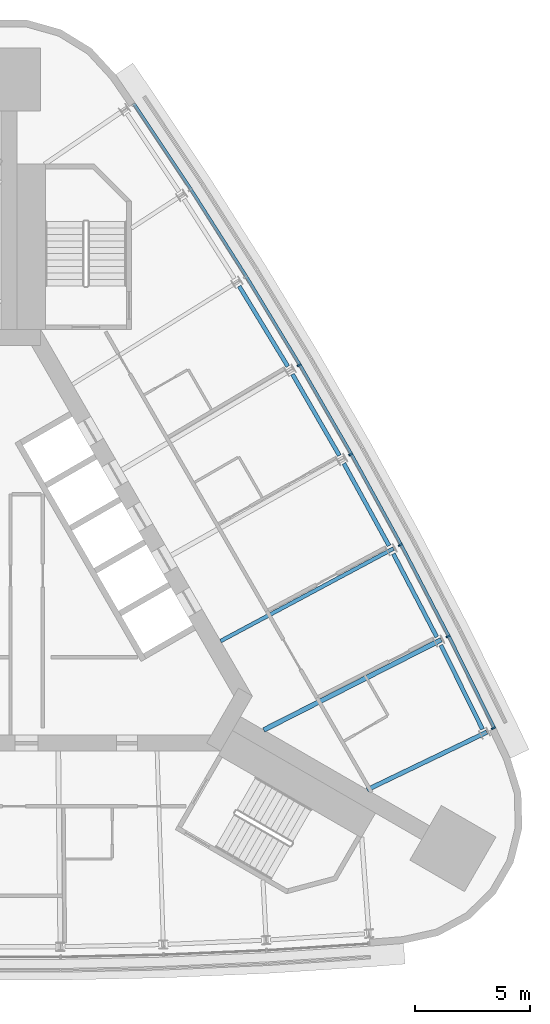
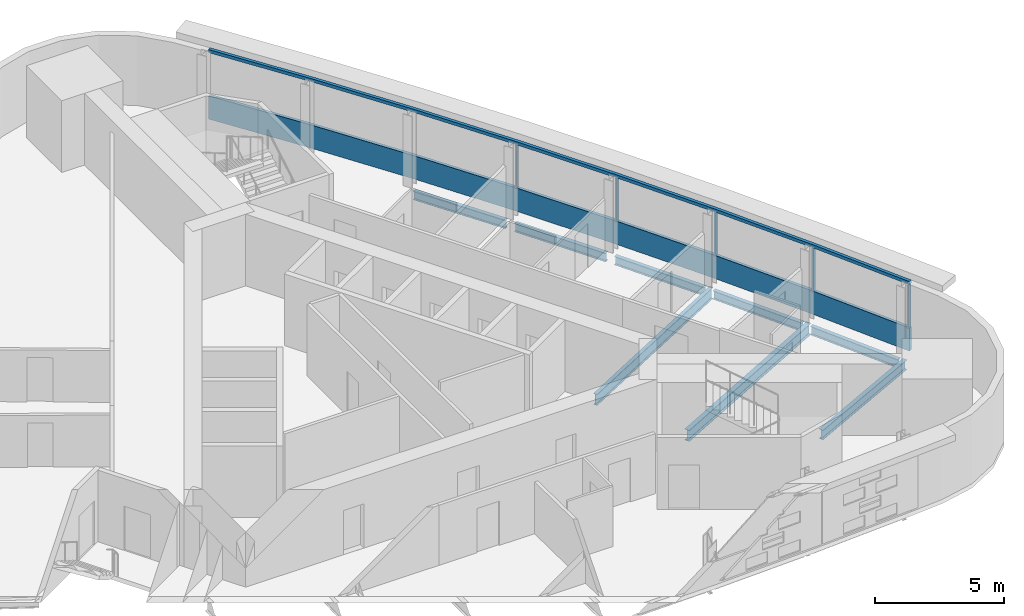
# One storey, part 5 of 12: 8 beams, 7 members, 1 element without a shape of its own.
"""IFC4 building model written with IfcOpenShell, lengths in metres."""

from ifc_helpers import new_model, si_unit, direction, frame, origin, origin_2d, place, context, subcontext, project, spatial, polyline, rectangle, i_section, outline, extrude, material, material_profile, profile_set, type_object, element, aggregate, save


model = new_model("IFC4")

# Units and contexts
model_context = context("Model", 3, precision=1e-05, world=origin(), true_north=direction((0.0, 1.0)))
body_context = subcontext(model_context, "Body", "Model", "MODEL_VIEW")
ifc_project = project(units=[si_unit("LENGTHUNIT", "METRE"), si_unit("AREAUNIT", "SQUARE_METRE"), si_unit("VOLUMEUNIT", "CUBIC_METRE"), si_unit("PLANEANGLEUNIT", "RADIAN"), si_unit("MASSUNIT", "GRAM", prefix="KILO")], contexts=[model_context])

# Site, building, storey
site_placement = place(None, origin())
site = spatial("IfcSite", under=ifc_project, at=site_placement, CompositionType="ELEMENT")
building_placement = place(site_placement, origin())
building = spatial("IfcBuilding", under=site, at=building_placement, Name="Noor Cloister Tower", CompositionType="ELEMENT")
storey_placement = place(building_placement, frame((0.0, 0.0, 188.699951171875)))
storey = spatial("IfcBuildingStorey", under=building, at=storey_placement, Name="L48", CompositionType="ELEMENT", Elevation=188.699951171875)

# Curtain wall, members
ifc_material_1 = material(Name="Aluminium 6063-T6 anodised", Category="aluminium")
curtain_wall_type = type_object("IfcCurtainWallType", Name="Ribbon curtain wall, upper tower CW5", PredefinedType="NOTDEFINED", material=ifc_material_1)
curtain_wall_placement = place(storey_placement, origin())
curtain_wall = element("IfcCurtainWall", 1, at=curtain_wall_placement, inside=storey, type_object=curtain_wall_type, Name="CW5 L48 NE run 3", PredefinedType="NOTDEFINED")
ifc_material_2 = material(Name="Aluminium 6063-T6 anodised", Category="aluminium")
member_type_1 = type_object("IfcMemberType", Name="Head transom CW5 150", PredefinedType="USERDEFINED", material=ifc_material_2)
member_1_placement = place(storey_placement, frame((0.0, 0.0, 3.150146484375)))
member_1 = element("IfcMember", 2, at=member_1_placement, type_object=member_type_1, Name="CW5 head transom", ObjectType="TRANSOM", PredefinedType="USERDEFINED", context=body_context, shape_type="SweptSolid", body=[
    extrude(outline(polyline([(21.2294921875, -5.91259765625), (19.234375, -1.879150390625), (17.1533203125, 2.110595703125), (14.9873046875, 6.054931640625), (12.7373046875, 9.951904296875), (10.404541015625, 13.7998046875), (7.98974609375, 17.59716796875), (5.494384765625, 21.341552734375), (5.3779296875, 21.263916015625), (7.872314453125, 17.520751953125), (10.285400390625, 13.72607421875), (12.61669921875, 9.880615234375), (14.865234375, 5.986083984375), (17.02978515625, 2.04443359375), (19.109619140625, -1.942626953125), (21.10400390625, -5.974609375), (21.2294921875, -5.91259765625)])), origin(), (0.0, 0.0, 1.0), 0.14990234375),
])
ifc_material_3 = material(Name="Aluminium 6063-T6 anodised", Category="aluminium")
ifc_material_profile_1 = material_profile(ifc_material_3, rectangle(XDim=0.179931640625, YDim=0.070068359375, at=origin_2d()), Name="180 x 70 mullion")
ifc_profile_set_1 = profile_set([ifc_material_profile_1], Name="Aluminium 6063-T6 anodised")
member_type_2 = type_object("IfcMemberType", Name="Mullion CW5 70 x 180", PredefinedType="MULLION", material=ifc_profile_set_1)
member_2_placement = place(storey_placement, frame((21.12451171875, -5.925537109375, 1.10009765625), z_axis=(0.0, 0.0, 1.0), x_axis=(-0.896329965837, -0.443387632149, 0.0)))
member_2 = element("IfcMember", 3, at=member_2_placement, type_object=member_type_2, Name="CW5 mullion 1", PredefinedType="MULLION", context=body_context, shape_type="SweptSolid", body=[
    extrude(rectangle(XDim=0.179931640625, YDim=0.070068359375, at=origin_2d()), origin(), (0.0, 0.0, 1.0), 2.050048828125),
])
member_3_placement = place(storey_placement, frame((19.145263671875, -1.924560546875, 1.10009765625), z_axis=(0.0, 0.0, 1.0), x_axis=(-0.891532671341, -0.452956395178, 0.0)))
member_3 = element("IfcMember", 4, at=member_3_placement, type_object=member_type_2, Name="CW5 mullion 2", PredefinedType="MULLION", context=body_context, shape_type="SweptSolid", body=[
    extrude(rectangle(XDim=0.179931640625, YDim=0.070068359375, at=origin_2d()), origin(), (0.0, 0.0, 1.0), 2.050048828125),
])
member_4_placement = place(storey_placement, frame((17.065185546875, 2.0634765625, 1.10009765625), z_axis=(0.0, 0.0, 1.0), x_axis=(-0.881632209176, -0.471937122659, 0.0)))
member_4 = element("IfcMember", 5, at=member_4_placement, type_object=member_type_2, Name="CW5 mullion 3", PredefinedType="MULLION", context=body_context, shape_type="SweptSolid", body=[
    extrude(rectangle(XDim=0.179931640625, YDim=0.070068359375, at=origin_2d()), origin(), (0.0, 0.0, 1.0), 2.050048828125),
])
member_5_placement = place(storey_placement, frame((14.900146484375, 6.005859375, 1.10009765625), z_axis=(0.0, 0.0, 1.0), x_axis=(-0.871327706284, -0.490701567413, 0.0)))
member_5 = element("IfcMember", 6, at=member_5_placement, type_object=member_type_2, Name="CW5 mullion 4", PredefinedType="MULLION", context=body_context, shape_type="SweptSolid", body=[
    extrude(rectangle(XDim=0.179931640625, YDim=0.070068359375, at=origin_2d()), origin(), (0.0, 0.0, 1.0), 2.050048828125),
])
member_6_placement = place(storey_placement, frame((12.651123046875, 9.90087890625, 1.10009765625), z_axis=(0.0, 0.0, 1.0), x_axis=(-0.860623876199, -0.509241144957, 0.0)))
member_6 = element("IfcMember", 7, at=member_6_placement, type_object=member_type_2, Name="CW5 mullion 5", PredefinedType="MULLION", context=body_context, shape_type="SweptSolid", body=[
    extrude(rectangle(XDim=0.179931640625, YDim=0.070068359375, at=origin_2d()), origin(), (0.0, 0.0, 1.0), 2.050048828125),
])

# Beams
ifc_material_4 = material(Name="Steel ASTM A992 Gr 50", Category="steel")
ifc_material_profile_2 = material_profile(ifc_material_4, i_section(OverallWidth=0.19091796875, OverallDepth=0.45703125, WebThickness=0.009033203125, FlangeThickness=0.014404296875, FilletRadius=0.01025390625, at=origin_2d()), Name="W460x74")
ifc_profile_set_2 = profile_set([ifc_material_profile_2], Name="Steel ASTM A992 Gr 50")
beam_type_1 = type_object("IfcBeamType", Name="Radial beam W460x74", PredefinedType="BEAM", material=ifc_profile_set_2)
beam_1_placement = place(storey_placement, frame((20.8349609375, -6.1025390625, -0.428466796875), z_axis=(-0.901024258872, -0.433768699798, 0.0), x_axis=(0.433768699798, -0.901024258872, 0.0)))
element("IfcBeam", 8, at=beam_1_placement, inside=storey, type_object=beam_type_1, Name="Radial beam NE 01 L48", PredefinedType="BEAM", context=body_context, shape_type="SweptSolid", body=[
    extrude(i_section(OverallWidth=0.19091796875, OverallDepth=0.45703125, WebThickness=0.009033203125, FlangeThickness=0.014404296875, FilletRadius=0.01025390625, at=origin_2d()), origin(), (0.0, 0.0, 1.0), 5.788818359375),
])
ifc_material_5 = material(Name="Steel ASTM A992 Gr 50", Category="steel")
ifc_material_profile_3 = material_profile(ifc_material_5, i_section(OverallWidth=0.166015625, OverallDepth=0.528076171875, WebThickness=0.009765625, FlangeThickness=0.013671875, FilletRadius=0.0126953125, at=origin_2d()), Name="W530x74")
ifc_profile_set_3 = profile_set([ifc_material_profile_3], Name="Steel ASTM A992 Gr 50")
beam_type_2 = type_object("IfcBeamType", Name="Radial beam W530x74", PredefinedType="BEAM", material=ifc_profile_set_3)
beam_2_placement = place(storey_placement, frame((16.76708984375, 1.90380859375, -0.4638671875), z_axis=(-0.88163488664, -0.471932120817, 0.0), x_axis=(0.471932120817, -0.88163488664, 0.0)))
element("IfcBeam", 9, at=beam_2_placement, inside=storey, type_object=beam_type_2, Name="Radial beam NE 03 L48", PredefinedType="BEAM", context=body_context, shape_type="SweptSolid", body=[
    extrude(i_section(OverallWidth=0.166015625, OverallDepth=0.528076171875, WebThickness=0.009765625, FlangeThickness=0.013671875, FilletRadius=0.0126953125, at=origin_2d()), origin(), (0.0, 0.0, 1.0), 8.548828125),
])
ifc_material_6 = material(Name="Steel ASTM A992 Gr 50", Category="steel")
ifc_material_profile_4 = material_profile(ifc_material_6, i_section(OverallWidth=0.208984375, OverallDepth=0.532958984375, WebThickness=0.01025390625, FlangeThickness=0.015625, FilletRadius=0.0126953125, at=origin_2d()), Name="W530x92")
ifc_profile_set_4 = profile_set([ifc_material_profile_4], Name="Steel ASTM A992 Gr 50")
beam_type_3 = type_object("IfcBeamType", Name="Radial beam W530x92", PredefinedType="BEAM", material=ifc_profile_set_4)
beam_3_placement = place(storey_placement, frame((18.843994140625, -2.07763671875, -0.466552734375), z_axis=(-0.891533608918, -0.452954549784, 0.0), x_axis=(0.452954549784, -0.891533608918, 0.0)))
element("IfcBeam", 10, at=beam_3_placement, inside=storey, type_object=beam_type_3, Name="Radial beam NE 02 L48", PredefinedType="BEAM", context=body_context, shape_type="SweptSolid", body=[
    extrude(i_section(OverallWidth=0.208984375, OverallDepth=0.532958984375, WebThickness=0.01025390625, FlangeThickness=0.015625, FilletRadius=0.0126953125, at=origin_2d()), origin(), (0.0, 0.0, 1.0), 8.678466796875),
])

# Member
ifc_material_7 = material(Name="Aluminium 6063-T6 anodised", Category="aluminium")
member_type_3 = type_object("IfcMemberType", Name="Sill transom CW5 1100", PredefinedType="USERDEFINED", material=ifc_material_7)
member_7_placement = place(storey_placement, origin())
member_7 = element("IfcMember", 11, at=member_7_placement, type_object=member_type_3, Name="CW5 sill transom", ObjectType="TRANSOM", PredefinedType="USERDEFINED", context=body_context, shape_type="SweptSolid", body=[
    extrude(outline(polyline([(21.2294921875, -5.91259765625), (19.234375, -1.879150390625), (17.1533203125, 2.110595703125), (14.9873046875, 6.054931640625), (12.7373046875, 9.951904296875), (10.404541015625, 13.7998046875), (7.98974609375, 17.59716796875), (5.494384765625, 21.341552734375), (5.3779296875, 21.263916015625), (7.872314453125, 17.520751953125), (10.285400390625, 13.72607421875), (12.61669921875, 9.880615234375), (14.865234375, 5.986083984375), (17.02978515625, 2.04443359375), (19.109619140625, -1.942626953125), (21.10400390625, -5.974609375), (21.2294921875, -5.91259765625)])), origin(), (0.0, 0.0, 1.0), 1.10009765625),
])

aggregate(curtain_wall, [member_2, member_3, member_4, member_5, member_6, member_7, member_1])

# Beams
ifc_material_8 = material(Name="Steel ASTM A992 Gr 50", Category="steel")
ifc_material_profile_5 = material_profile(ifc_material_8, i_section(OverallWidth=0.177978515625, OverallDepth=0.406005859375, WebThickness=0.0078125, FlangeThickness=0.0126953125, FilletRadius=0.01025390625, at=origin_2d()), Name="W410x60")
ifc_profile_set_5 = profile_set([ifc_material_profile_5], Name="Steel ASTM A992 Gr 50")
beam_type_4 = type_object("IfcBeamType", Name="Spandrel beam W410x60", PredefinedType="SPANDREL", material=ifc_profile_set_5)
beam_4_placement = place(storey_placement, frame((20.646728515625, -5.974609375, -0.40283203125), z_axis=(-0.443417035745, 0.896315420157, 0.0), x_axis=(-0.896315420157, -0.443417035745, 0.0)))
element("IfcBeam", 12, at=beam_4_placement, inside=storey, type_object=beam_type_4, Name="Spandrel beam NE 01 L48", PredefinedType="SPANDREL", context=body_context, shape_type="SweptSolid", body=[
    extrude(i_section(OverallWidth=0.177978515625, OverallDepth=0.406005859375, WebThickness=0.0078125, FlangeThickness=0.0126953125, FilletRadius=0.01025390625, at=origin_2d()), origin(), (0.0, 0.0, 1.0), 4.09423828125),
])
beam_5_placement = place(storey_placement, frame((18.65283203125, -1.95361328125, -0.40283203125), z_axis=(-0.462462064821, 0.886639068957, 0.0), x_axis=(-0.886639068957, -0.462462064821, 0.0)))
element("IfcBeam", 13, at=beam_5_placement, inside=storey, type_object=beam_type_4, Name="Spandrel beam NE 02 L48", PredefinedType="SPANDREL", context=body_context, shape_type="SweptSolid", body=[
    extrude(i_section(OverallWidth=0.177978515625, OverallDepth=0.406005859375, WebThickness=0.0078125, FlangeThickness=0.0126953125, FilletRadius=0.01025390625, at=origin_2d()), origin(), (0.0, 0.0, 1.0), 4.093994140625),
])
beam_6_placement = place(storey_placement, frame((16.573486328125, 2.023681640625, -0.40283203125), z_axis=(-0.481348653878, 0.87652921994, 0.0), x_axis=(-0.87652921994, -0.481348653878, 0.0)))
element("IfcBeam", 14, at=beam_6_placement, inside=storey, type_object=beam_type_4, Name="Spandrel beam NE 03 L48", PredefinedType="SPANDREL", context=body_context, shape_type="SweptSolid", body=[
    extrude(i_section(OverallWidth=0.177978515625, OverallDepth=0.406005859375, WebThickness=0.0078125, FlangeThickness=0.0126953125, FilletRadius=0.01025390625, at=origin_2d()), origin(), (0.0, 0.0, 1.0), 4.09423828125),
])
beam_7_placement = place(storey_placement, frame((14.409423828125, 5.95556640625, -0.40283203125), z_axis=(-0.499961627599, 0.866047556967, 0.0), x_axis=(-0.866047556967, -0.499961627599, 0.0)))
element("IfcBeam", 15, at=beam_7_placement, inside=storey, type_object=beam_type_4, Name="Spandrel beam NE 04 L48", PredefinedType="SPANDREL", context=body_context, shape_type="SweptSolid", body=[
    extrude(i_section(OverallWidth=0.177978515625, OverallDepth=0.406005859375, WebThickness=0.0078125, FlangeThickness=0.0126953125, FilletRadius=0.01025390625, at=origin_2d()), origin(), (0.0, 0.0, 1.0), 4.093994140625),
])
beam_8_placement = place(storey_placement, frame((12.161865234375, 9.84033203125, -0.40283203125), z_axis=(-0.518436511351, 0.855116122932, 0.0), x_axis=(-0.855116122932, -0.518436511351, 0.0)))
element("IfcBeam", 16, at=beam_8_placement, inside=storey, type_object=beam_type_4, Name="Spandrel beam NE 05 L48", PredefinedType="SPANDREL", context=body_context, shape_type="SweptSolid", body=[
    extrude(i_section(OverallWidth=0.177978515625, OverallDepth=0.406005859375, WebThickness=0.0078125, FlangeThickness=0.0126953125, FilletRadius=0.01025390625, at=origin_2d()), origin(), (0.0, 0.0, 1.0), 4.09423828125),
])

save(model, "model.ifc")
